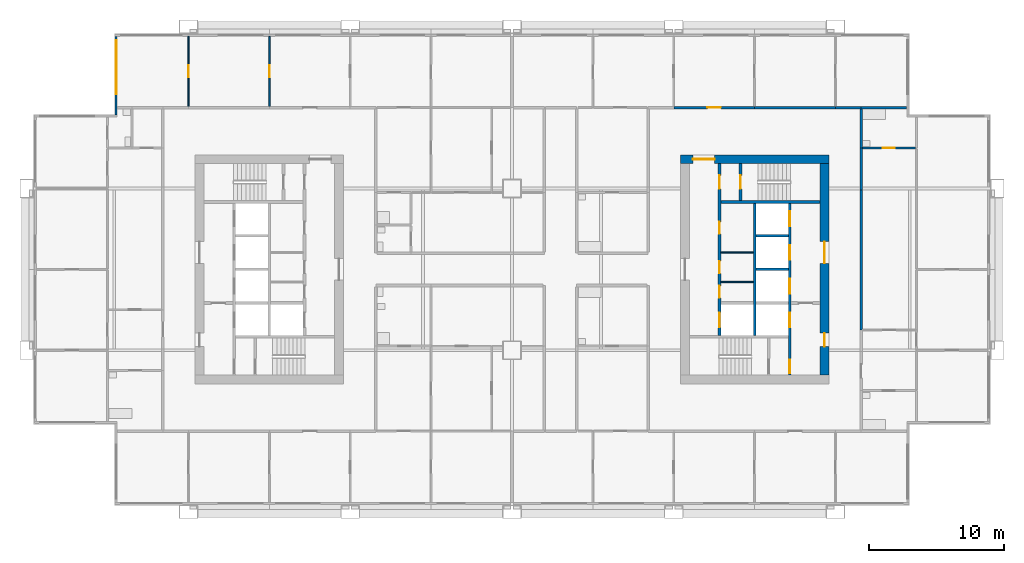
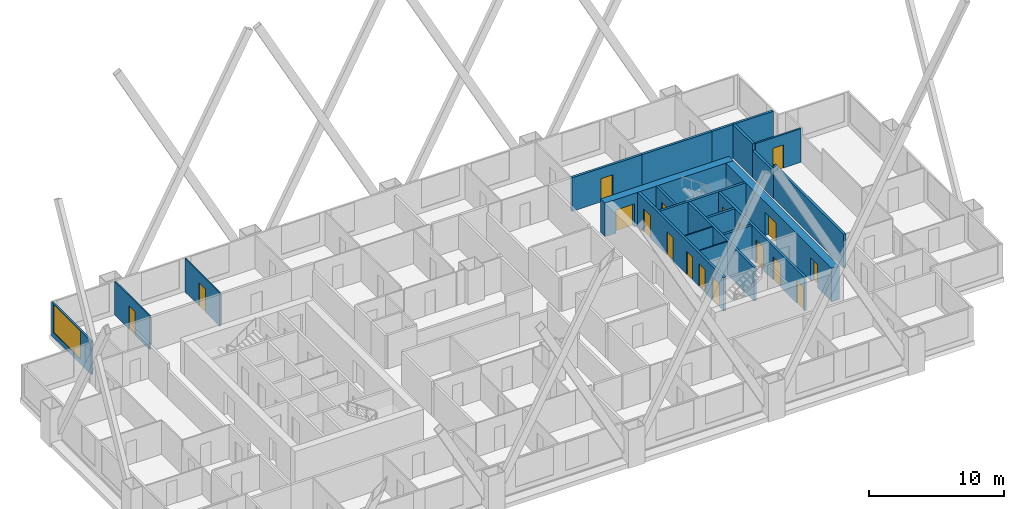
# One storey, part 7 of 11: 22 walls, 18 doors, 1 window, 19 openings.
"""IFC4 building model written with IfcOpenShell, lengths in metres."""

from ifc_helpers import new_model, si_unit, direction, frame, frame_2d, origin, place, context, subcontext, project, spatial, rectangle, extrude, material, layer, layer_set, type_object, element, fill, save


model = new_model("IFC4")

# Units and contexts
model_context = context("Model", 3, precision=1e-05, world=origin(), true_north=direction((0.0, 1.0)))
body_context = subcontext(model_context, "Body", "Model", "MODEL_VIEW")
ifc_project = project(units=[si_unit("LENGTHUNIT", "METRE"), si_unit("AREAUNIT", "SQUARE_METRE"), si_unit("VOLUMEUNIT", "CUBIC_METRE"), si_unit("PLANEANGLEUNIT", "RADIAN"), si_unit("MASSUNIT", "GRAM", prefix="KILO")], contexts=[model_context])

# Site, building, storey
site_placement = place(None, origin())
site = spatial("IfcSite", under=ifc_project, at=site_placement, CompositionType="ELEMENT")
building_placement = place(site_placement, origin())
building = spatial("IfcBuilding", under=site, at=building_placement, Name="Kitamizu Gate Tower and Museum", CompositionType="ELEMENT")
storey_placement = place(building_placement, frame((0.0, 0.0, 131.10009765625)))
storey = spatial("IfcBuildingStorey", under=building, at=storey_placement, Name="L34", CompositionType="ELEMENT", Elevation=131.10009765625)

# Wall, opening, door
ifc_material_1 = material(Name="Concrete Fc60", Category="concrete")
ifc_layer_1 = layer(ifc_material_1, 0.64990234375)
ifc_layer_set_1 = layer_set([ifc_layer_1], Name="Concrete Fc60")
wall_type_1 = type_object("IfcWallType", Name="Core wall 650", PredefinedType="SHEAR", material=ifc_layer_set_1)
wall_1_placement = place(storey_placement, frame((59.5, 38.175048828125, 0.0), z_axis=(0.0, 0.0, 1.0), x_axis=(-1.0, 0.0, 0.0)))
wall_1 = element("IfcWall", 1, at=wall_1_placement, inside=storey, type_object=wall_type_1, Name="Core wall EN", PredefinedType="SHEAR", context=body_context, shape_type="SweptSolid", body=[
    extrude(rectangle(XDim=11.0, YDim=0.64990234375, at=frame_2d((5.5, 0.0))), origin(), (0.0, 0.0, 1.0), 3.0498046875),
])
opening_1_placement = place(wall_1_placement, frame((8.47509765625, 0.0, 0.0)))
opening_1 = element("IfcOpeningElement", 2, at=opening_1_placement, cuts=wall_1, Name="Opening L34-071", PredefinedType="OPENING", context=body_context, shape_type="SweptSolid", body=[
    extrude(rectangle(XDim=1.60009765625, YDim=2.10009765625, at=frame_2d((0.800048828125, 1.050048828125))), frame((0.0, 0.3349609375, 0.0), z_axis=(0.0, -1.0, 0.0), x_axis=(1.0, 0.0, 0.0)), (0.0, 0.0, 1.0), 0.669921875),
])
ifc_material_2 = material(Name="Timber door set", Category="wood")
door_type_1 = type_object("IfcDoorType", Name="Entrance door 1600", OperationType="DOUBLE_DOOR_SINGLE_SWING", PredefinedType="DOOR", material=ifc_material_2)
door_1_placement = place(opening_1_placement, origin())
door_1 = element("IfcDoor", 3, at=door_1_placement, inside=storey, type_object=door_type_1, Name="Lobby door L34-071", OperationType="DOUBLE_DOOR_SINGLE_SWING", OverallHeight=2.10009765625, OverallWidth=1.60009765625, PredefinedType="DOOR", context=body_context, shape_type="SweptSolid", body=[
    extrude(rectangle(XDim=1.60009765625, YDim=2.10009765625, at=frame_2d((0.800048828125, 1.050048828125))), frame((0.0, 0.02490234375, 0.0), z_axis=(0.0, -1.0, 0.0), x_axis=(1.0, 0.0, 0.0)), (0.0, 0.0, 1.0), 0.050048828125),
])
fill(opening_1, door_1)

# Wall, openings, doors
wall_2_placement = place(storey_placement, frame((59.175048828125, 22.14990234375, 0.0), z_axis=(0.0, 0.0, 1.0), x_axis=(0.0, 1.0, 0.0)))
wall_2 = element("IfcWall", 4, at=wall_2_placement, inside=storey, type_object=wall_type_1, Name="Core wall EOUT", PredefinedType="SHEAR", context=body_context, shape_type="SweptSolid", body=[
    extrude(rectangle(XDim=15.7001953125, YDim=0.64990234375, at=frame_2d((7.85009765625, 0.0))), origin(), (0.0, 0.0, 1.0), 3.0498046875),
])
opening_2_placement = place(wall_2_placement, frame((8.300048828125, 0.0, 0.0)))
opening_2 = element("IfcOpeningElement", 5, at=opening_2_placement, cuts=wall_2, Name="Opening L34-069", PredefinedType="OPENING", context=body_context, shape_type="SweptSolid", body=[
    extrude(rectangle(XDim=1.60009765625, YDim=2.10009765625, at=frame_2d((0.800048828125, 1.050048828125))), frame((0.0, 0.3349609375, 0.0), z_axis=(0.0, -1.0, 0.0), x_axis=(1.0, 0.0, 0.0)), (0.0, 0.0, 1.0), 0.669921875),
])
opening_3_placement = place(wall_2_placement, frame((2.125, 0.0, 0.0)))
opening_3 = element("IfcOpeningElement", 6, at=opening_3_placement, cuts=wall_2, Name="Opening L34-070", PredefinedType="OPENING", context=body_context, shape_type="SweptSolid", body=[
    extrude(rectangle(XDim=1.0, YDim=2.10009765625, at=frame_2d((0.5, 1.050048828125))), frame((0.0, 0.3349609375, 0.0), z_axis=(0.0, -1.0, 0.0), x_axis=(1.0, 0.0, 0.0)), (0.0, 0.0, 1.0), 0.669921875),
])
door_2_placement = place(opening_2_placement, origin())
door_2 = element("IfcDoor", 7, at=door_2_placement, inside=storey, type_object=door_type_1, Name="Lobby door L34-069", OperationType="DOUBLE_DOOR_SINGLE_SWING", OverallHeight=2.10009765625, OverallWidth=1.60009765625, PredefinedType="DOOR", context=body_context, shape_type="SweptSolid", body=[
    extrude(rectangle(XDim=1.60009765625, YDim=2.10009765625, at=frame_2d((0.800048828125, 1.050048828125))), frame((0.0, 0.02490234375, 0.0), z_axis=(0.0, -1.0, 0.0), x_axis=(1.0, 0.0, 0.0)), (0.0, 0.0, 1.0), 0.050048828125),
])
fill(opening_2, door_2)
ifc_material_3 = material(Name="Hollow metal door set")
door_type_2 = type_object("IfcDoorType", Name="Fire door 1000", OperationType="NOTDEFINED", PredefinedType="DOOR", material=ifc_material_3)
door_3_placement = place(opening_3_placement, origin())
door_3 = element("IfcDoor", 8, at=door_3_placement, inside=storey, type_object=door_type_2, Name="Fire-fighting lobby door L34-070", OperationType="SINGLE_SWING_RIGHT", OverallHeight=2.10009765625, OverallWidth=1.0, PredefinedType="DOOR", context=body_context, shape_type="SweptSolid", body=[
    extrude(rectangle(XDim=1.0, YDim=2.10009765625, at=frame_2d((0.5, 1.050048828125))), frame((0.0, 0.02490234375, 0.0), z_axis=(0.0, -1.0, 0.0), x_axis=(1.0, 0.0, 0.0)), (0.0, 0.0, 1.0), 0.050048828125),
])
fill(opening_3, door_3)

# Walls
ifc_material_4 = material(Name="Gypsum board on galvanised stud")
ifc_layer_2 = layer(ifc_material_4, 0.10009765625)
ifc_layer_set_2 = layer_set([ifc_layer_2], Name="Gypsum board on galvanised stud")
wall_type_2 = type_object("IfcWallType", Name="Partition 100", PredefinedType="PARTITIONING", material=ifc_layer_set_2)
for number, where, z_axis, x_axis, name in (
    (9, (53.89990234375, 29.06005859375, 0.0), (0.0, 0.0, 1.0), (-1.0, 0.0, 0.0), "Partition EPF1"),
    (10, (53.89990234375, 31.25, 0.0), (0.0, 0.0, 1.0), (-1.0, 0.0, 0.0), "Partition EPF2"),
):
    element("IfcWall", number, at=place(storey_placement, frame(where, z_axis=z_axis, x_axis=x_axis)), inside=storey, type_object=wall_type_2, Name=name, PredefinedType="PARTITIONING", context=body_context, shape_type="SweptSolid", body=[
        extrude(rectangle(XDim=2.39990234375, YDim=0.10009765625, at=frame_2d((1.199951171875, 0.0))), origin(), (0.0, 0.0, 1.0), 3.0498046875),
    ])

# Wall, opening, door
ifc_material_5 = material(Name="Gypsum board on galvanised stud")
ifc_layer_3 = layer(ifc_material_5, 0.10009765625)
ifc_layer_set_3 = layer_set([ifc_layer_3], Name="Gypsum board on galvanised stud")
wall_type_3 = type_object("IfcWallType", Name="Partition 100 NOT RATED", PredefinedType="PARTITIONING", material=ifc_layer_set_3)
wall_3_placement = place(storey_placement, frame((12.0, 42.10009765625, 0.0), z_axis=(0.0, 0.0, 1.0), x_axis=(0.0, 1.0, 0.0)))
wall_3 = element("IfcWall", 11, at=wall_3_placement, inside=storey, type_object=wall_type_3, Name="Partition L34-049", PredefinedType="PARTITIONING", context=body_context, shape_type="SweptSolid", body=[
    extrude(rectangle(XDim=5.179931640625, YDim=0.10009765625, at=frame_2d((2.58984375, 0.0))), origin(), (0.0, 0.0, 1.0), 3.0498046875),
])
opening_4_placement = place(wall_3_placement, frame((2.139892578125, 0.0, 0.0)))
opening_4 = element("IfcOpeningElement", 12, at=opening_4_placement, cuts=wall_3, Name="Opening L34-021", PredefinedType="OPENING", context=body_context, shape_type="SweptSolid", body=[
    extrude(rectangle(XDim=0.89990234375, YDim=2.10009765625, at=frame_2d((0.449951171875, 1.050048828125))), frame((0.0, 0.06005859375, 0.0), z_axis=(0.0, -1.0, 0.0), x_axis=(1.0, 0.0, 0.0)), (0.0, 0.0, 1.0), 0.1201171875),
])
ifc_material_6 = material(Name="Timber door set", Category="wood")
door_type_3 = type_object("IfcDoorType", Name="Room door 900", OperationType="NOTDEFINED", PredefinedType="DOOR", material=ifc_material_6)
door_4_placement = place(opening_4_placement, origin())
door_4 = element("IfcDoor", 13, at=door_4_placement, inside=storey, type_object=door_type_3, Name="Door L34-021", OperationType="SINGLE_SWING_RIGHT", OverallHeight=2.10009765625, OverallWidth=0.89990234375, PredefinedType="DOOR", context=body_context, shape_type="SweptSolid", body=[
    extrude(rectangle(XDim=0.89990234375, YDim=2.10009765625, at=frame_2d((0.449951171875, 1.050048828125))), frame((0.0, 0.02490234375, 0.0), z_axis=(0.0, -1.0, 0.0), x_axis=(1.0, 0.0, 0.0)), (0.0, 0.0, 1.0), 0.050048828125),
])
fill(opening_4, door_4)

wall_4_placement = place(storey_placement, frame((18.0, 42.10009765625, 0.0), z_axis=(0.0, 0.0, 1.0), x_axis=(0.0, 1.0, 0.0)))
wall_4 = element("IfcWall", 14, at=wall_4_placement, inside=storey, type_object=wall_type_3, Name="Partition L34-053", PredefinedType="PARTITIONING", context=body_context, shape_type="SweptSolid", body=[
    extrude(rectangle(XDim=5.179931640625, YDim=0.10009765625, at=frame_2d((2.58984375, 0.0))), origin(), (0.0, 0.0, 1.0), 3.0498046875),
])
opening_5_placement = place(wall_4_placement, frame((2.139892578125, 0.0, 0.0)))
opening_5 = element("IfcOpeningElement", 15, at=opening_5_placement, cuts=wall_4, Name="Opening L34-019", PredefinedType="OPENING", context=body_context, shape_type="SweptSolid", body=[
    extrude(rectangle(XDim=0.89990234375, YDim=2.10009765625, at=frame_2d((0.449951171875, 1.050048828125))), frame((0.0, 0.06005859375, 0.0), z_axis=(0.0, -1.0, 0.0), x_axis=(1.0, 0.0, 0.0)), (0.0, 0.0, 1.0), 0.1201171875),
])
door_5_placement = place(opening_5_placement, origin())
door_5 = element("IfcDoor", 16, at=door_5_placement, inside=storey, type_object=door_type_3, Name="Door L34-019", OperationType="SINGLE_SWING_RIGHT", OverallHeight=2.10009765625, OverallWidth=0.89990234375, PredefinedType="DOOR", context=body_context, shape_type="SweptSolid", body=[
    extrude(rectangle(XDim=0.89990234375, YDim=2.10009765625, at=frame_2d((0.449951171875, 1.050048828125))), frame((0.0, 0.02490234375, 0.0), z_axis=(0.0, -1.0, 0.0), x_axis=(1.0, 0.0, 0.0)), (0.0, 0.0, 1.0), 0.050048828125),
])
fill(opening_5, door_5)

ifc_material_7 = material(Name="Gypsum board on galvanised stud")
ifc_layer_4 = layer(ifc_material_7, 0.14990234375)
ifc_layer_set_4 = layer_set([ifc_layer_4], Name="Gypsum board on galvanised stud")
wall_type_4 = type_object("IfcWallType", Name="Partition 150", PredefinedType="PARTITIONING", material=ifc_layer_set_4)
wall_5_placement = place(storey_placement, frame((65.925048828125, 39.0, 0.0), z_axis=(0.0, 0.0, 1.0), x_axis=(-1.0, 0.0, 0.0)))
wall_5 = element("IfcWall", 17, at=wall_5_placement, inside=storey, type_object=wall_type_4, Name="Partition L34-139", PredefinedType="PARTITIONING", context=body_context, shape_type="SweptSolid", body=[
    extrude(rectangle(XDim=3.925048828125, YDim=0.14990234375, at=frame_2d((1.96240234375, 0.0))), origin(), (0.0, 0.0, 1.0), 3.0498046875),
])
opening_6_placement = place(wall_5_placement, frame((1.512451171875, 0.0, 0.0)))
opening_6 = element("IfcOpeningElement", 18, at=opening_6_placement, cuts=wall_5, Name="Opening L34-051", PredefinedType="OPENING", context=body_context, shape_type="SweptSolid", body=[
    extrude(rectangle(XDim=0.89990234375, YDim=2.10009765625, at=frame_2d((0.449951171875, 1.050048828125))), frame((0.0, 0.0849609375, 0.0), z_axis=(0.0, -1.0, 0.0), x_axis=(1.0, 0.0, 0.0)), (0.0, 0.0, 1.0), 0.169921875),
])
ifc_material_8 = material(Name="Timber door set", Category="wood")
door_type_4 = type_object("IfcDoorType", Name="Bathroom door 900", OperationType="NOTDEFINED", PredefinedType="DOOR", material=ifc_material_8)
door_6_placement = place(opening_6_placement, frame((0.89990234375, 0.0, 0.0), x_axis=(-1.0, 0.0, 0.0)))
door_6 = element("IfcDoor", 19, at=door_6_placement, inside=storey, type_object=door_type_4, Name="Bathroom door L34-051", OperationType="SINGLE_SWING_RIGHT", OverallHeight=2.10009765625, OverallWidth=0.89990234375, PredefinedType="DOOR", context=body_context, shape_type="SweptSolid", body=[
    extrude(rectangle(XDim=0.89990234375, YDim=2.10009765625, at=frame_2d((0.449951171875, 1.050048828125))), frame((0.0, 0.02490234375, 0.0), z_axis=(0.0, -1.0, 0.0), x_axis=(1.0, 0.0, 0.0)), (0.0, 0.0, 1.0), 0.050048828125),
])
fill(opening_6, door_6)

ifc_material_9 = material(Name="Gypsum board on galvanised stud")
ifc_layer_5 = layer(ifc_material_9, 0.199951171875)
ifc_layer_set_5 = layer_set([ifc_layer_5], Name="Gypsum board on galvanised stud")
wall_type_5 = type_object("IfcWallType", Name="Partition 200", PredefinedType="PARTITIONING", material=ifc_layer_set_5)
wall_6_placement = place(storey_placement, frame((48.0, 42.0, 0.0), z_axis=(0.0, 0.0, 1.0), x_axis=(1.0, 0.0, 0.0)))
wall_6 = element("IfcWall", 20, at=wall_6_placement, inside=storey, type_object=wall_type_5, Name="Partition L34-113", PredefinedType="PARTITIONING", context=body_context, shape_type="SweptSolid", body=[
    extrude(rectangle(XDim=6.0, YDim=0.199951171875, at=frame_2d((3.0, 0.0))), origin(), (0.0, 0.0, 1.0), 3.0498046875),
])
opening_7_placement = place(wall_6_placement, frame((2.5, 0.0, 0.0)))
opening_7 = element("IfcOpeningElement", 21, at=opening_7_placement, cuts=wall_6, Name="Opening L34-038", PredefinedType="OPENING", context=body_context, shape_type="SweptSolid", body=[
    extrude(rectangle(XDim=1.0, YDim=2.10009765625, at=frame_2d((0.5, 1.050048828125))), frame((0.0, 0.10986328125, 0.0), z_axis=(0.0, -1.0, 0.0), x_axis=(1.0, 0.0, 0.0)), (0.0, 0.0, 1.0), 0.219970703125),
])
ifc_material_10 = material(Name="Timber door set", Category="wood")
door_type_5 = type_object("IfcDoorType", Name="Flat entrance door 1000", OperationType="NOTDEFINED", PredefinedType="DOOR", material=ifc_material_10)
door_7_placement = place(opening_7_placement, origin())
door_7 = element("IfcDoor", 22, at=door_7_placement, inside=storey, type_object=door_type_5, Name="Flat entrance door L34-038", OperationType="SINGLE_SWING_RIGHT", OverallHeight=2.10009765625, OverallWidth=1.0, PredefinedType="DOOR", context=body_context, shape_type="SweptSolid", body=[
    extrude(rectangle(XDim=1.0, YDim=2.10009765625, at=frame_2d((0.5, 1.050048828125))), frame((0.0, 0.02490234375, 0.0), z_axis=(0.0, -1.0, 0.0), x_axis=(1.0, 0.0, 0.0)), (0.0, 0.0, 1.0), 0.050048828125),
])
fill(opening_7, door_7)

# Walls
wall_7_placement = place(storey_placement, frame((54.0, 42.0, 0.0), z_axis=(0.0, 0.0, 1.0), x_axis=(1.0, 0.0, 0.0)))
element("IfcWall", 23, at=wall_7_placement, inside=storey, type_object=wall_type_5, Name="Partition L34-115", PredefinedType="PARTITIONING", context=body_context, shape_type="SweptSolid", body=[
    extrude(rectangle(XDim=6.0, YDim=0.199951171875, at=frame_2d((3.0, 0.0))), origin(), (0.0, 0.0, 1.0), 3.0498046875),
])
wall_8_placement = place(storey_placement, frame((61.89990234375, 42.0, 0.0), z_axis=(0.0, 0.0, 1.0), x_axis=(1.0, 0.0, 0.0)))
element("IfcWall", 24, at=wall_8_placement, inside=storey, type_object=wall_type_5, Name="Partition L34-116", PredefinedType="PARTITIONING", context=body_context, shape_type="SweptSolid", body=[
    extrude(rectangle(XDim=3.380126953125, YDim=0.199951171875, at=frame_2d((1.68994140625, 0.0))), origin(), (0.0, 0.0, 1.0), 3.0498046875),
])
wall_9_placement = place(storey_placement, frame((60.0, 42.0, 0.0), z_axis=(0.0, 0.0, 1.0), x_axis=(1.0, 0.0, 0.0)))
element("IfcWall", 25, at=wall_9_placement, inside=storey, type_object=wall_type_5, Name="Partition L34-117", PredefinedType="PARTITIONING", context=body_context, shape_type="SweptSolid", body=[
    extrude(rectangle(XDim=1.89990234375, YDim=0.199951171875, at=frame_2d((0.949951171875, 0.0))), origin(), (0.0, 0.0, 1.0), 3.0498046875),
])
wall_10_placement = place(storey_placement, frame((61.89990234375, 39.0, 0.0), z_axis=(0.0, 0.0, 1.0), x_axis=(0.0, -1.0, 0.0)))
element("IfcWall", 26, at=wall_10_placement, inside=storey, type_object=wall_type_5, Name="Partition L34-140", PredefinedType="PARTITIONING", context=body_context, shape_type="SweptSolid", body=[
    extrude(rectangle(XDim=3.10009765625, YDim=0.199951171875, at=frame_2d((1.550048828125, 0.0))), origin(), (0.0, 0.0, 1.0), 2.449951171875),
])
wall_11_placement = place(storey_placement, frame((61.89990234375, 35.89990234375, 0.0), z_axis=(0.0, 0.0, 1.0), x_axis=(0.0, -1.0, 0.0)))
element("IfcWall", 27, at=wall_11_placement, inside=storey, type_object=wall_type_5, Name="Partition L34-141", PredefinedType="PARTITIONING", context=body_context, shape_type="SweptSolid", body=[
    extrude(rectangle(XDim=10.39990234375, YDim=0.199951171875, at=frame_2d((5.199951171875, 0.0))), origin(), (0.0, 0.0, 1.0), 3.0498046875),
])
wall_12_placement = place(storey_placement, frame((61.89990234375, 41.89990234375, 0.0), z_axis=(0.0, 0.0, 1.0), x_axis=(0.0, -1.0, 0.0)))
element("IfcWall", 28, at=wall_12_placement, inside=storey, type_object=wall_type_5, Name="Partition L34-142", PredefinedType="PARTITIONING", context=body_context, shape_type="SweptSolid", body=[
    extrude(rectangle(XDim=2.89990234375, YDim=0.199951171875, at=frame_2d((1.449951171875, 0.0))), origin(), (0.0, 0.0, 1.0), 3.0498046875),
])

# Wall, openings, doors
ifc_material_11 = material(Name="Concrete Fc42", Category="concrete")
ifc_layer_6 = layer(ifc_material_11, 0.199951171875)
ifc_layer_set_6 = layer_set([ifc_layer_6], Name="Concrete Fc42")
wall_type_6 = type_object("IfcWallType", Name="Shaft wall 200", PredefinedType="SOLIDWALL", material=ifc_layer_set_6)
wall_13_placement = place(storey_placement, frame((56.60009765625, 22.14990234375, 0.0), z_axis=(0.0, 0.0, 1.0), x_axis=(0.0, 1.0, 0.0)))
wall_13 = element("IfcWall", 29, at=wall_13_placement, inside=storey, type_object=wall_type_6, Name="Shaft wall EWEST", PredefinedType="SOLIDWALL", context=body_context, shape_type="SweptSolid", body=[
    extrude(rectangle(XDim=12.75, YDim=0.199951171875, at=frame_2d((6.375, 0.0))), origin(), (0.0, 0.0, 1.0), 3.0498046875),
])
opening_8_placement = place(wall_13_placement, frame((3.550048828125, 0.0, 0.0)))
opening_8 = element("IfcOpeningElement", 30, at=opening_8_placement, cuts=wall_13, Name="Opening LD", PredefinedType="OPENING", context=body_context, shape_type="SweptSolid", body=[
    extrude(rectangle(XDim=1.10009765625, YDim=2.10009765625, at=frame_2d((0.550048828125, 1.050048828125))), frame((0.0, 0.10986328125, 0.0), z_axis=(0.0, -1.0, 0.0), x_axis=(1.0, 0.0, 0.0)), (0.0, 0.0, 1.0), 0.219970703125),
])
opening_9_placement = place(wall_13_placement, frame((6.050048828125, 0.0, 0.0)))
opening_9 = element("IfcOpeningElement", 31, at=opening_9_placement, cuts=wall_13, Name="Opening LD", PredefinedType="OPENING", context=body_context, shape_type="SweptSolid", body=[
    extrude(rectangle(XDim=1.10009765625, YDim=2.10009765625, at=frame_2d((0.550048828125, 1.050048828125))), frame((0.0, 0.10986328125, 0.0), z_axis=(0.0, -1.0, 0.0), x_axis=(1.0, 0.0, 0.0)), (0.0, 0.0, 1.0), 0.219970703125),
])
opening_10_placement = place(wall_13_placement, frame((8.550048828125, 0.0, 0.0)))
opening_10 = element("IfcOpeningElement", 32, at=opening_10_placement, cuts=wall_13, Name="Opening LD", PredefinedType="OPENING", context=body_context, shape_type="SweptSolid", body=[
    extrude(rectangle(XDim=1.10009765625, YDim=2.10009765625, at=frame_2d((0.550048828125, 1.050048828125))), frame((0.0, 0.10986328125, 0.0), z_axis=(0.0, -1.0, 0.0), x_axis=(1.0, 0.0, 0.0)), (0.0, 0.0, 1.0), 0.219970703125),
])
opening_11_placement = place(wall_13_placement, frame((11.050048828125, 0.0, 0.0)))
opening_11 = element("IfcOpeningElement", 33, at=opening_11_placement, cuts=wall_13, Name="Opening LD", PredefinedType="OPENING", context=body_context, shape_type="SweptSolid", body=[
    extrude(rectangle(XDim=1.10009765625, YDim=2.10009765625, at=frame_2d((0.550048828125, 1.050048828125))), frame((0.0, 0.10986328125, 0.0), z_axis=(0.0, -1.0, 0.0), x_axis=(1.0, 0.0, 0.0)), (0.0, 0.0, 1.0), 0.219970703125),
])
opening_12_placement = place(wall_13_placement, frame((0.14990234375, 0.0, 0.0)))
opening_12 = element("IfcOpeningElement", 34, at=opening_12_placement, cuts=wall_13, Name="Opening L34-065", PredefinedType="OPENING", context=body_context, shape_type="SweptSolid", body=[
    extrude(rectangle(XDim=1.0, YDim=2.10009765625, at=frame_2d((0.5, 1.050048828125))), frame((0.0, 0.10986328125, 0.0), z_axis=(0.0, -1.0, 0.0), x_axis=(1.0, 0.0, 0.0)), (0.0, 0.0, 1.0), 0.219970703125),
])
door_8_placement = place(opening_12_placement, origin())
door_8 = element("IfcDoor", 35, at=door_8_placement, inside=storey, type_object=door_type_2, Name="Stair lobby door L34-065", OperationType="SINGLE_SWING_RIGHT", OverallHeight=2.10009765625, OverallWidth=1.0, PredefinedType="DOOR", context=body_context, shape_type="SweptSolid", body=[
    extrude(rectangle(XDim=1.0, YDim=2.10009765625, at=frame_2d((0.5, 1.050048828125))), frame((0.0, 0.02490234375, 0.0), z_axis=(0.0, -1.0, 0.0), x_axis=(1.0, 0.0, 0.0)), (0.0, 0.0, 1.0), 0.050048828125),
])
fill(opening_12, door_8)
ifc_material_12 = material(Name="Hollow metal door set")
door_type_6 = type_object("IfcDoorType", Name="Landing door 1100", OperationType="SLIDING_TO_LEFT", PredefinedType="DOOR", material=ifc_material_12)
door_9_placement = place(opening_8_placement, origin())
door_9 = element("IfcDoor", 36, at=door_9_placement, inside=storey, type_object=door_type_6, Name="Landing door EFF1", OperationType="SLIDING_TO_LEFT", OverallHeight=2.10009765625, OverallWidth=1.10009765625, PredefinedType="DOOR", context=body_context, shape_type="SweptSolid", body=[
    extrude(rectangle(XDim=1.10009765625, YDim=2.10009765625, at=frame_2d((0.550048828125, 1.050048828125))), frame((0.0, 0.02490234375, 0.0), z_axis=(0.0, -1.0, 0.0), x_axis=(1.0, 0.0, 0.0)), (0.0, 0.0, 1.0), 0.050048828125),
])
fill(opening_8, door_9)
door_10_placement = place(opening_9_placement, origin())
door_10 = element("IfcDoor", 37, at=door_10_placement, inside=storey, type_object=door_type_6, Name="Landing door EL1", OperationType="SLIDING_TO_LEFT", OverallHeight=2.10009765625, OverallWidth=1.10009765625, PredefinedType="DOOR", context=body_context, shape_type="SweptSolid", body=[
    extrude(rectangle(XDim=1.10009765625, YDim=2.10009765625, at=frame_2d((0.550048828125, 1.050048828125))), frame((0.0, 0.02490234375, 0.0), z_axis=(0.0, -1.0, 0.0), x_axis=(1.0, 0.0, 0.0)), (0.0, 0.0, 1.0), 0.050048828125),
])
fill(opening_9, door_10)
door_11_placement = place(opening_10_placement, origin())
door_11 = element("IfcDoor", 38, at=door_11_placement, inside=storey, type_object=door_type_6, Name="Landing door EL2", OperationType="SLIDING_TO_LEFT", OverallHeight=2.10009765625, OverallWidth=1.10009765625, PredefinedType="DOOR", context=body_context, shape_type="SweptSolid", body=[
    extrude(rectangle(XDim=1.10009765625, YDim=2.10009765625, at=frame_2d((0.550048828125, 1.050048828125))), frame((0.0, 0.02490234375, 0.0), z_axis=(0.0, -1.0, 0.0), x_axis=(1.0, 0.0, 0.0)), (0.0, 0.0, 1.0), 0.050048828125),
])
fill(opening_10, door_11)
door_12_placement = place(opening_11_placement, origin())
door_12 = element("IfcDoor", 39, at=door_12_placement, inside=storey, type_object=door_type_6, Name="Landing door EL3", OperationType="SLIDING_TO_LEFT", OverallHeight=2.10009765625, OverallWidth=1.10009765625, PredefinedType="DOOR", context=body_context, shape_type="SweptSolid", body=[
    extrude(rectangle(XDim=1.10009765625, YDim=2.10009765625, at=frame_2d((0.550048828125, 1.050048828125))), frame((0.0, 0.02490234375, 0.0), z_axis=(0.0, -1.0, 0.0), x_axis=(1.0, 0.0, 0.0)), (0.0, 0.0, 1.0), 0.050048828125),
])
fill(opening_11, door_12)

wall_14_placement = place(storey_placement, frame((51.39990234375, 25.10009765625, 0.0), z_axis=(0.0, 0.0, 1.0), x_axis=(0.0, 1.0, 0.0)))
wall_14 = element("IfcWall", 40, at=wall_14_placement, inside=storey, type_object=wall_type_6, Name="Shaft wall EEAST", PredefinedType="SOLIDWALL", context=body_context, shape_type="SweptSolid", body=[
    extrude(rectangle(XDim=12.75, YDim=0.199951171875, at=frame_2d((6.375, 0.0))), origin(), (0.0, 0.0, 1.0), 3.0498046875),
])
opening_13_placement = place(wall_14_placement, frame((0.60009765625, 0.0, 0.0)))
opening_13 = element("IfcOpeningElement", 41, at=opening_13_placement, cuts=wall_14, Name="Opening LD", PredefinedType="OPENING", context=body_context, shape_type="SweptSolid", body=[
    extrude(rectangle(XDim=1.10009765625, YDim=2.10009765625, at=frame_2d((0.550048828125, 1.050048828125))), frame((0.0, 0.10986328125, 0.0), z_axis=(0.0, -1.0, 0.0), x_axis=(1.0, 0.0, 0.0)), (0.0, 0.0, 1.0), 0.219970703125),
])
opening_14_placement = place(wall_14_placement, frame((10.875, 0.0, 0.0)))
opening_14 = element("IfcOpeningElement", 42, at=opening_14_placement, cuts=wall_14, Name="Opening L34-066", PredefinedType="OPENING", context=body_context, shape_type="SweptSolid", body=[
    extrude(rectangle(XDim=1.0, YDim=2.10009765625, at=frame_2d((0.5, 1.050048828125))), frame((0.0, 0.10986328125, 0.0), z_axis=(0.0, -1.0, 0.0), x_axis=(1.0, 0.0, 0.0)), (0.0, 0.0, 1.0), 0.219970703125),
])
opening_15_placement = place(wall_14_placement, frame((2.780029296875, 0.0, 0.0)))
opening_15 = element("IfcOpeningElement", 43, at=opening_15_placement, cuts=wall_14, Name="Opening L34-073", PredefinedType="OPENING", context=body_context, shape_type="SweptSolid", body=[
    extrude(rectangle(XDim=0.89990234375, YDim=2.10009765625, at=frame_2d((0.449951171875, 1.050048828125))), frame((0.0, 0.10986328125, 0.0), z_axis=(0.0, -1.0, 0.0), x_axis=(1.0, 0.0, 0.0)), (0.0, 0.0, 1.0), 0.219970703125),
])
opening_16_placement = place(wall_14_placement, frame((4.60498046875, 0.0, 0.0)))
opening_16 = element("IfcOpeningElement", 44, at=opening_16_placement, cuts=wall_14, Name="Opening L34-074", PredefinedType="OPENING", context=body_context, shape_type="SweptSolid", body=[
    extrude(rectangle(XDim=0.89990234375, YDim=2.10009765625, at=frame_2d((0.449951171875, 1.050048828125))), frame((0.0, 0.10986328125, 0.0), z_axis=(0.0, -1.0, 0.0), x_axis=(1.0, 0.0, 0.0)), (0.0, 0.0, 1.0), 0.219970703125),
])
opening_17_placement = place(wall_14_placement, frame((7.52490234375, 0.0, 0.0)))
opening_17 = element("IfcOpeningElement", 45, at=opening_17_placement, cuts=wall_14, Name="Opening L34-075", PredefinedType="OPENING", context=body_context, shape_type="SweptSolid", body=[
    extrude(rectangle(XDim=0.89990234375, YDim=2.10009765625, at=frame_2d((0.449951171875, 1.050048828125))), frame((0.0, 0.10986328125, 0.0), z_axis=(0.0, -1.0, 0.0), x_axis=(1.0, 0.0, 0.0)), (0.0, 0.0, 1.0), 0.219970703125),
])
door_13_placement = place(opening_14_placement, frame((1.0, 0.0, 0.0), x_axis=(-1.0, 0.0, 0.0)))
door_13 = element("IfcDoor", 46, at=door_13_placement, inside=storey, type_object=door_type_2, Name="Stair lobby door L34-066", OperationType="SINGLE_SWING_RIGHT", OverallHeight=2.10009765625, OverallWidth=1.0, PredefinedType="DOOR", context=body_context, shape_type="SweptSolid", body=[
    extrude(rectangle(XDim=1.0, YDim=2.10009765625, at=frame_2d((0.5, 1.050048828125))), frame((0.0, 0.02490234375, 0.0), z_axis=(0.0, -1.0, 0.0), x_axis=(1.0, 0.0, 0.0)), (0.0, 0.0, 1.0), 0.050048828125),
])
fill(opening_14, door_13)
door_14_placement = place(opening_13_placement, origin())
door_14 = element("IfcDoor", 47, at=door_14_placement, inside=storey, type_object=door_type_6, Name="Landing door ESV1", OperationType="SLIDING_TO_LEFT", OverallHeight=2.10009765625, OverallWidth=1.10009765625, PredefinedType="DOOR", context=body_context, shape_type="SweptSolid", body=[
    extrude(rectangle(XDim=1.10009765625, YDim=2.10009765625, at=frame_2d((0.550048828125, 1.050048828125))), frame((0.0, 0.02490234375, 0.0), z_axis=(0.0, -1.0, 0.0), x_axis=(1.0, 0.0, 0.0)), (0.0, 0.0, 1.0), 0.050048828125),
])
fill(opening_13, door_14)
ifc_material_13 = material(Name="Timber door set", Category="wood")
door_type_7 = type_object("IfcDoorType", Name="Service door 900", OperationType="NOTDEFINED", PredefinedType="DOOR", material=ifc_material_13)
door_15_placement = place(opening_15_placement, frame((0.89990234375, 0.0, 0.0), x_axis=(-1.0, 0.0, 0.0)))
door_15 = element("IfcDoor", 48, at=door_15_placement, inside=storey, type_object=door_type_7, Name="Service door L34-073", OperationType="SINGLE_SWING_RIGHT", OverallHeight=2.10009765625, OverallWidth=0.89990234375, PredefinedType="DOOR", context=body_context, shape_type="SweptSolid", body=[
    extrude(rectangle(XDim=0.89990234375, YDim=2.10009765625, at=frame_2d((0.449951171875, 1.050048828125))), frame((0.0, 0.02490234375, 0.0), z_axis=(0.0, -1.0, 0.0), x_axis=(1.0, 0.0, 0.0)), (0.0, 0.0, 1.0), 0.050048828125),
])
fill(opening_15, door_15)
door_16_placement = place(opening_16_placement, frame((0.89990234375, 0.0, 0.0), x_axis=(-1.0, 0.0, 0.0)))
door_16 = element("IfcDoor", 49, at=door_16_placement, inside=storey, type_object=door_type_7, Name="Service door L34-074", OperationType="SINGLE_SWING_LEFT", OverallHeight=2.10009765625, OverallWidth=0.89990234375, PredefinedType="DOOR", context=body_context, shape_type="SweptSolid", body=[
    extrude(rectangle(XDim=0.89990234375, YDim=2.10009765625, at=frame_2d((0.449951171875, 1.050048828125))), frame((0.0, 0.02490234375, 0.0), z_axis=(0.0, -1.0, 0.0), x_axis=(1.0, 0.0, 0.0)), (0.0, 0.0, 1.0), 0.050048828125),
])
fill(opening_16, door_16)
door_17_placement = place(opening_17_placement, frame((0.89990234375, 0.0, 0.0), x_axis=(-1.0, 0.0, 0.0)))
door_17 = element("IfcDoor", 50, at=door_17_placement, inside=storey, type_object=door_type_7, Name="Service door L34-075", OperationType="SINGLE_SWING_RIGHT", OverallHeight=2.10009765625, OverallWidth=0.89990234375, PredefinedType="DOOR", context=body_context, shape_type="SweptSolid", body=[
    extrude(rectangle(XDim=0.89990234375, YDim=2.10009765625, at=frame_2d((0.449951171875, 1.050048828125))), frame((0.0, 0.02490234375, 0.0), z_axis=(0.0, -1.0, 0.0), x_axis=(1.0, 0.0, 0.0)), (0.0, 0.0, 1.0), 0.050048828125),
])
fill(opening_17, door_17)

# Walls
wall_15_placement = place(storey_placement, frame((54.0, 25.10009765625, 0.0), z_axis=(0.0, 0.0, 1.0), x_axis=(0.0, 1.0, 0.0)))
element("IfcWall", 51, at=wall_15_placement, inside=storey, type_object=wall_type_6, Name="Shaft wall EMID", PredefinedType="SOLIDWALL", context=body_context, shape_type="SweptSolid", body=[
    extrude(rectangle(XDim=9.7998046875, YDim=0.199951171875, at=frame_2d((4.89990234375, 0.0))), origin(), (0.0, 0.0, 1.0), 3.0498046875),
])
wall_16_placement = place(storey_placement, frame((58.85009765625, 35.0, 0.0), z_axis=(0.0, 0.0, 1.0), x_axis=(-1.0, 0.0, 0.0)))
element("IfcWall", 52, at=wall_16_placement, inside=storey, type_object=wall_type_6, Name="Shaft wall ENB", PredefinedType="SOLIDWALL", context=body_context, shape_type="SweptSolid", body=[
    extrude(rectangle(XDim=7.35009765625, YDim=0.199951171875, at=frame_2d((3.675048828125, 0.0))), origin(), (0.0, 0.0, 1.0), 3.0498046875),
])

# Wall, opening, door
wall_17_placement = place(storey_placement, frame((52.949951171875, 35.10009765625, 0.0), z_axis=(0.0, 0.0, 1.0), x_axis=(0.0, 1.0, 0.0)))
wall_17 = element("IfcWall", 53, at=wall_17_placement, inside=storey, type_object=wall_type_6, Name="Shaft wall ENZ", PredefinedType="SOLIDWALL", context=body_context, shape_type="SweptSolid", body=[
    extrude(rectangle(XDim=2.75, YDim=0.199951171875, at=frame_2d((1.375, 0.0))), origin(), (0.0, 0.0, 1.0), 3.0498046875),
])
opening_18_placement = place(wall_17_placement, frame((0.875, 0.0, 0.0)))
opening_18 = element("IfcOpeningElement", 54, at=opening_18_placement, cuts=wall_17, Name="Opening L34-067", PredefinedType="OPENING", context=body_context, shape_type="SweptSolid", body=[
    extrude(rectangle(XDim=1.0, YDim=2.10009765625, at=frame_2d((0.5, 1.050048828125))), frame((0.0, 0.10986328125, 0.0), z_axis=(0.0, -1.0, 0.0), x_axis=(1.0, 0.0, 0.0)), (0.0, 0.0, 1.0), 0.219970703125),
])
door_18_placement = place(opening_18_placement, frame((1.0, 0.0, 0.0), x_axis=(-1.0, 0.0, 0.0)))
door_18 = element("IfcDoor", 55, at=door_18_placement, inside=storey, type_object=door_type_2, Name="Stair door L34-067", OperationType="SINGLE_SWING_LEFT", OverallHeight=2.10009765625, OverallWidth=1.0, PredefinedType="DOOR", context=body_context, shape_type="SweptSolid", body=[
    extrude(rectangle(XDim=1.0, YDim=2.10009765625, at=frame_2d((0.5, 1.050048828125))), frame((0.0, 0.02490234375, 0.0), z_axis=(0.0, -1.0, 0.0), x_axis=(1.0, 0.0, 0.0)), (0.0, 0.0, 1.0), 0.050048828125),
])
fill(opening_18, door_18)

# Walls
for number, where, z_axis, x_axis, name in (
    (56, (56.5, 30.0, 0.0), (0.0, 0.0, 1.0), (-1.0, 0.0, 0.0), "Shaft wall EDVW1"),
    (57, (56.5, 32.5, 0.0), (0.0, 0.0, 1.0), (-1.0, 0.0, 0.0), "Shaft wall EDVW2"),
):
    element("IfcWall", number, at=place(storey_placement, frame(where, z_axis=z_axis, x_axis=x_axis)), inside=storey, type_object=wall_type_6, Name=name, PredefinedType="SOLIDWALL", context=body_context, shape_type="SweptSolid", body=[
        extrude(rectangle(XDim=2.39990234375, YDim=0.199951171875, at=frame_2d((1.199951171875, 0.0))), origin(), (0.0, 0.0, 1.0), 3.0498046875),
    ])

# Wall, opening, window
ifc_material_14 = material(Name="Bronze anodised aluminium frame with insulated spandrel and tinted glass", Category="aluminium")
ifc_layer_7 = layer(ifc_material_14, 0.14990234375)
ifc_layer_set_7 = layer_set([ifc_layer_7], Name="Bronze anodised aluminium frame with insulated spandrel and tinted glass")
wall_type_7 = type_object("IfcWallType", Name="WINDOW WALL 150 BRONZE FRAME EI 30", PredefinedType="ELEMENTEDWALL", material=ifc_layer_set_7)
wall_18_placement = place(storey_placement, frame((6.635009765625, 41.43994140625, 0.0), z_axis=(0.0, 0.0, 1.0), x_axis=(0.0, 1.0, 0.0)))
wall_18 = element("IfcWall", 58, at=wall_18_placement, inside=storey, type_object=wall_type_7, Name="Window wall west L34", PredefinedType="ELEMENTEDWALL", context=body_context, shape_type="SweptSolid", body=[
    extrude(rectangle(XDim=5.85009765625, YDim=0.14990234375, at=frame_2d((2.925048828125, 0.0))), origin(), (0.0, 0.0, 1.0), 3.0498046875),
])
opening_19_placement = place(wall_18_placement, frame((1.56005859375, 0.0, 0.449951171875)))
opening_19 = element("IfcOpeningElement", 59, at=opening_19_placement, cuts=wall_18, Name="Opening W16", PredefinedType="OPENING", context=body_context, shape_type="SweptSolid", body=[
    extrude(rectangle(XDim=4.0, YDim=2.550048828125, at=frame_2d((2.0, 1.27490234375))), frame((0.0, 0.0849609375, 0.0), z_axis=(0.0, -1.0, 0.0), x_axis=(1.0, 0.0, 0.0)), (0.0, 0.0, 1.0), 0.169921875),
])
ifc_material_15 = material(Name="Bronze anodised aluminium frame, tinted triple glazing", Category="aluminium")
window_type = type_object("IfcWindowType", Name="WINDOW 4000 x 2550 SILL 450", PartitioningType="SINGLE_PANEL", PredefinedType="WINDOW", material=ifc_material_15)
window_placement = place(opening_19_placement, origin())
window = element("IfcWindow", 60, at=window_placement, inside=storey, type_object=window_type, Name="Window W16 L34", OverallHeight=2.550048828125, OverallWidth=4.0, PartitioningType="SINGLE_PANEL", PredefinedType="WINDOW", context=body_context, shape_type="SweptSolid", body=[
    extrude(rectangle(XDim=4.0, YDim=2.550048828125, at=frame_2d((2.0, 1.27490234375))), frame((0.0, 0.030029296875, 0.0), z_axis=(0.0, -1.0, 0.0), x_axis=(1.0, 0.0, 0.0)), (0.0, 0.0, 1.0), 0.06005859375),
])
fill(opening_19, window)

save(model, "model.ifc")
